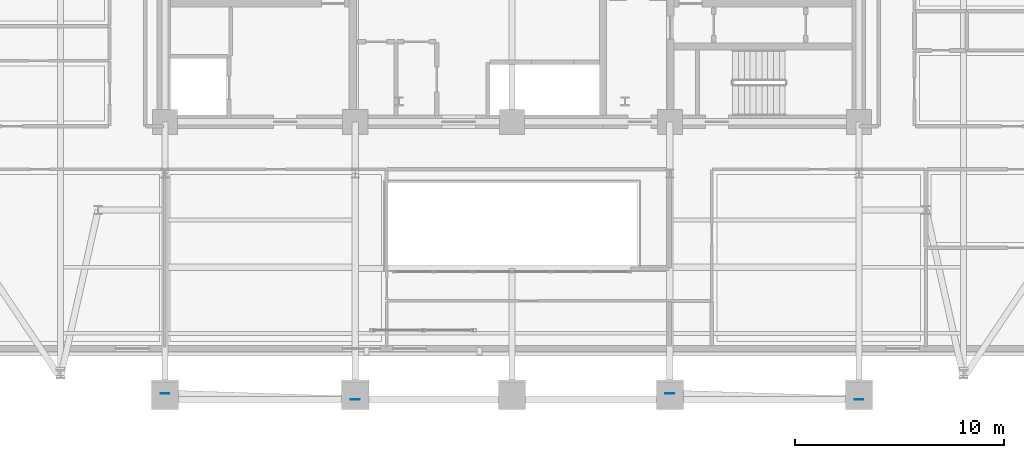
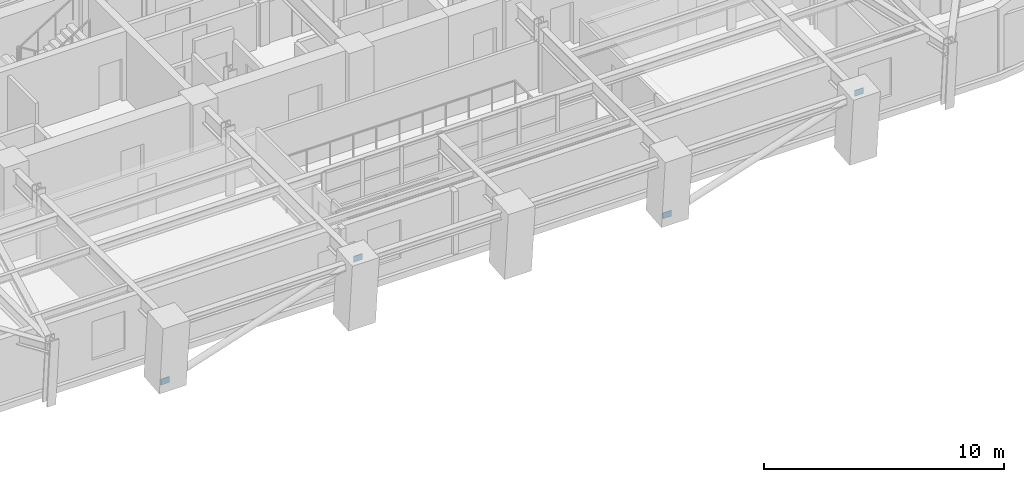
# One storey, part 7 of 15: 4 plates.
"""IFC4 building model written with IfcOpenShell, lengths in metres."""

from ifc_helpers import new_model, si_unit, direction, frame, origin, origin_2d, place, context, subcontext, project, spatial, rectangle, extrude, material, layer, layer_set, type_object, element, save


model = new_model("IFC4")

# Units and contexts
model_context = context("Model", 3, precision=1e-05, world=origin(), true_north=direction((0.0, 1.0)))
body_context = subcontext(model_context, "Body", "Model", "MODEL_VIEW")
ifc_project = project(units=[si_unit("LENGTHUNIT", "METRE"), si_unit("AREAUNIT", "SQUARE_METRE"), si_unit("VOLUMEUNIT", "CUBIC_METRE"), si_unit("PLANEANGLEUNIT", "RADIAN"), si_unit("MASSUNIT", "GRAM", prefix="KILO")], contexts=[model_context])

# Site, building, storey
site_placement = place(None, origin())
site = spatial("IfcSite", under=ifc_project, at=site_placement, CompositionType="ELEMENT")
building_placement = place(site_placement, origin())
building = spatial("IfcBuilding", under=site, at=building_placement, Name="Zarnavel Station Tower", CompositionType="ELEMENT")
storey_placement = place(building_placement, frame((0.0, 0.0, 125.800048828125)))
storey = spatial("IfcBuildingStorey", under=building, at=storey_placement, Name="L34", CompositionType="ELEMENT", Elevation=125.800048828125)

# Plates
ifc_material = material(Name="Steel S460M", Category="steel")
ifc_layer = layer(ifc_material, 0.02490234375)
ifc_layer_set = layer_set([ifc_layer], Name="GP_GUSSET_25")
plate_type = type_object("IfcPlateType", Name="GP_GUSSET_25", PredefinedType="USERDEFINED", material=ifc_layer_set)
for number, where, z_axis, x_axis, name in (
    (1, (12.199951171875, 14.827880859375, -0.14990234375), (0.0, 0.0, 1.0), (1.0, 0.0, 0.0), "L34 Exterior Diagonal Brace End Gusset 1-1"),
    (2, (21.300048828125, 14.534423828125, 3.08984375), (0.0, 0.0, 1.0), (1.0, 0.0, 0.0), "L34 Exterior Diagonal Brace End Gusset 1-2"),
    (3, (36.35009765625, 14.827880859375, -0.14990234375), (0.0, 0.0, 1.0), (1.0, 0.0, 0.0), "L34 Exterior Diagonal Brace End Gusset 2-1"),
    (4, (45.39990234375, 14.534423828125, 3.08984375), (0.0, 0.0, 1.0), (1.0, 0.0, 0.0), "L34 Exterior Diagonal Brace End Gusset 2-2"),
):
    element("IfcPlate", number, at=place(storey_placement, frame(where, z_axis=z_axis, x_axis=x_axis)), inside=storey, type_object=plate_type, Name=name, ObjectType="GUSSET_PLATE", PredefinedType="USERDEFINED", context=body_context, shape_type="SweptSolid", body=[
        extrude(rectangle(XDim=0.419921875, YDim=0.02490234375, at=origin_2d()), origin(), (0.0, 0.0, 1.0), 0.300048828125),
    ])

save(model, "model.ifc")
